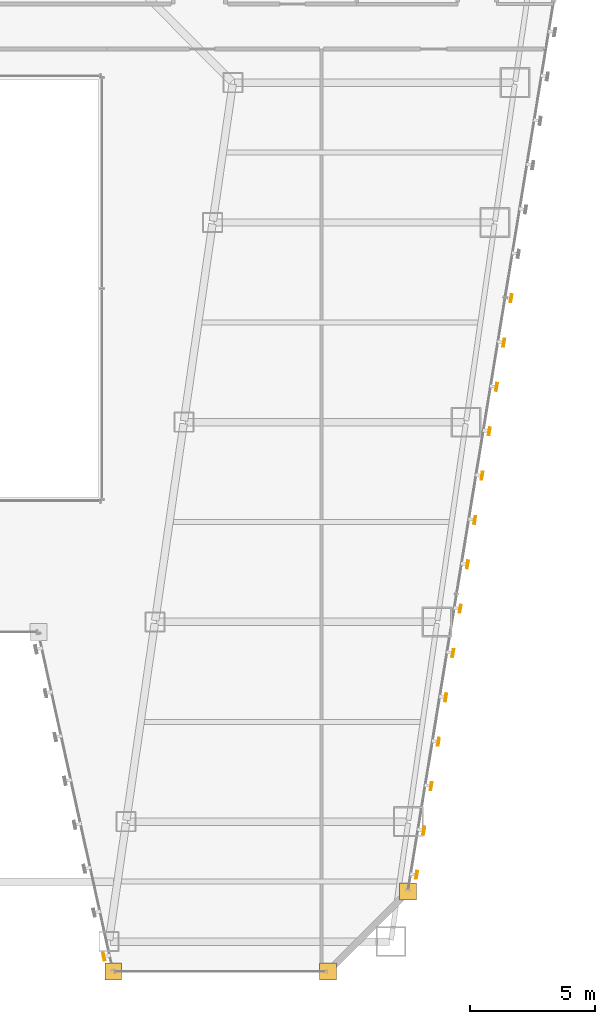
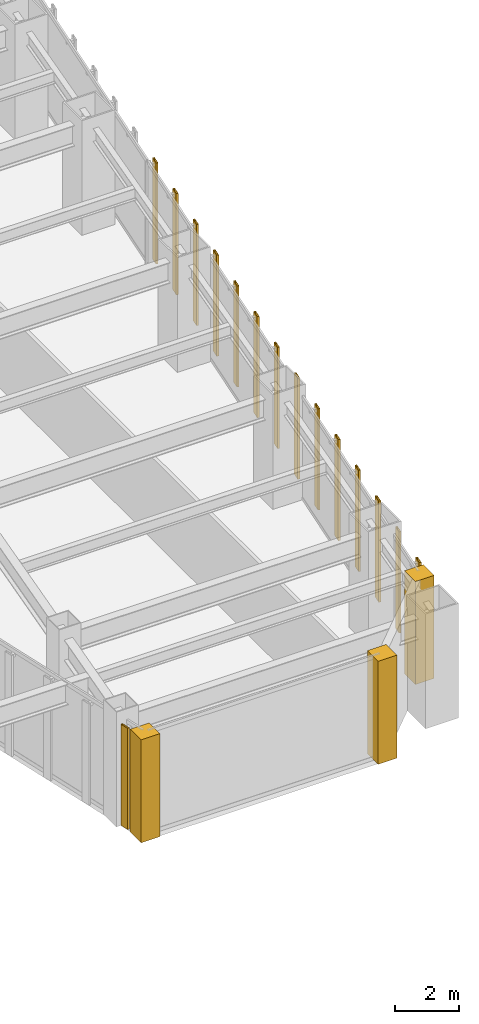
# One storey, part 44 of 47: 15 shading devices, 3 coverings.
"""IFC4 building model written with IfcOpenShell, lengths in metres."""

from ifc_helpers import new_model, si_unit, direction, frame, origin, origin_2d, place, context, subcontext, project, spatial, polyline, hollow_rectangle, outline, extrude, material, layer, layer_set, material_profile, profile_set, type_object, element, save


model = new_model("IFC4")

# Units and contexts
model_context = context("Model", 3, precision=1e-05, world=origin(), true_north=direction((0.0, 1.0)))
body_context = subcontext(model_context, "Body", "Model", "MODEL_VIEW")
ifc_project = project(units=[si_unit("LENGTHUNIT", "METRE"), si_unit("AREAUNIT", "SQUARE_METRE"), si_unit("VOLUMEUNIT", "CUBIC_METRE"), si_unit("PLANEANGLEUNIT", "RADIAN"), si_unit("MASSUNIT", "GRAM", prefix="KILO")], contexts=[model_context])

# Site, building, storey
site_placement = place(None, origin())
site = spatial("IfcSite", under=ifc_project, at=site_placement, CompositionType="ELEMENT")
building_placement = place(site_placement, origin())
building = spatial("IfcBuilding", under=site, at=building_placement, Name="Saevonmaru Cultural Tower", CompositionType="ELEMENT")
storey_placement = place(building_placement, frame((0.0, 0.0, 82.39990234375)))
storey = spatial("IfcBuildingStorey", under=building, at=storey_placement, Name="L17", CompositionType="ELEMENT", Elevation=82.39990234375)

# Coverings
ifc_material = material(Name="Satin Bronze Anodised Aluminium", Category="aluminium")
ifc_layer = layer(ifc_material, 0.679931640625, Name="Satin Bronze Anodised Aluminium")
ifc_layer_set = layer_set([ifc_layer], Name="Satin Bronze Anodised Aluminium")
covering_type = type_object("IfcCoveringType", Name="CV-CORNER-CLAD", PredefinedType="CLADDING", material=ifc_layer_set)
covering_1_placement = place(storey_placement, origin())
element("IfcCovering", 1, at=covering_1_placement, inside=storey, type_object=covering_type, Name="L17 Tower Bronze Corner Cladding Pier 6", PredefinedType="CLADDING", context=body_context, shape_type="SweptSolid", body=[
    extrude(outline(polyline([(36.06005859375, 1.659912109375), (36.739990234375, 1.659912109375), (36.739990234375, 2.340087890625), (36.06005859375, 2.340087890625), (36.06005859375, 1.659912109375)])), origin(), (0.0, 0.0, 1.0), 3.9501953125),
])
covering_2_placement = place(storey_placement, origin())
element("IfcCovering", 2, at=covering_2_placement, inside=storey, type_object=covering_type, Name="L17 Tower Bronze Corner Cladding Pier 7", PredefinedType="CLADDING", context=body_context, shape_type="SweptSolid", body=[
    extrude(outline(polyline([(44.659912109375, 1.659912109375), (45.340087890625, 1.659912109375), (45.340087890625, 2.340087890625), (44.659912109375, 2.340087890625), (44.659912109375, 1.659912109375)])), origin(), (0.0, 0.0, 1.0), 3.9501953125),
])
covering_3_placement = place(storey_placement, origin())
element("IfcCovering", 3, at=covering_3_placement, inside=storey, type_object=covering_type, Name="L17 Tower Bronze Corner Cladding Pier 8", PredefinedType="CLADDING", context=body_context, shape_type="SweptSolid", body=[
    extrude(outline(polyline([(47.860107421875, 4.860107421875), (48.5400390625, 4.860107421875), (48.5400390625, 5.5400390625), (47.860107421875, 5.5400390625), (47.860107421875, 4.860107421875)])), origin(), (0.0, 0.0, 1.0), 3.9501953125),
])

# Shading devices
ifc_material_profile = material_profile(ifc_material, hollow_rectangle(XDim=0.070068359375, YDim=0.320068359375, WallThickness=0.0048828125, at=origin_2d()), Name="FIN-320x70")
ifc_profile_set = profile_set([ifc_material_profile], Name="Satin Bronze Anodised Aluminium")
shading_device_type = type_object("IfcShadingDeviceType", Name="SHD-FIN-320", PredefinedType="JALOUSIE", material=ifc_profile_set)
for number, where, z_axis, x_axis, name in (
    (4, (36.022705078125, 2.59619140625, 0.050048828125), (0.0, 0.0, 1.0), (-0.976522126798, -0.215417120661, 0.0), "L17 Art Deco Sawtooth Bronze Fin E5-08"),
    (5, (48.552978515625, 5.869140625, 0.050048828125), (0.0, 0.0, 1.0), (0.986827496189, -0.161776057456, 0.0), "L17 Art Deco Sawtooth Bronze Fin E8-01"),
    (6, (48.843994140625, 7.6455078125, 0.050048828125), (0.0, 0.0, 1.0), (0.986827496189, -0.161776057456, 0.0), "L17 Art Deco Sawtooth Bronze Fin E8-02"),
    (7, (49.135009765625, 9.421875, 0.050048828125), (0.0, 0.0, 1.0), (0.986827496189, -0.161776057456, 0.0), "L17 Art Deco Sawtooth Bronze Fin E8-03"),
    (8, (49.426025390625, 11.197998046875, 0.050048828125), (0.0, 0.0, 1.0), (0.986827496189, -0.161776057456, 0.0), "L17 Art Deco Sawtooth Bronze Fin E8-04"),
    (9, (49.71728515625, 12.974365234375, 0.050048828125), (0.0, 0.0, 1.0), (0.986827496189, -0.161776057456, 0.0), "L17 Art Deco Sawtooth Bronze Fin E8-05"),
    (10, (50.00830078125, 14.750732421875, 0.050048828125), (0.0, 0.0, 1.0), (0.986827496189, -0.161776057456, 0.0), "L17 Art Deco Sawtooth Bronze Fin E8-06"),
    (11, (50.29931640625, 16.527099609375, 0.050048828125), (0.0, 0.0, 1.0), (0.986827496189, -0.161776057456, 0.0), "L17 Art Deco Sawtooth Bronze Fin E8-07"),
    (12, (50.59033203125, 18.30322265625, 0.050048828125), (0.0, 0.0, 1.0), (0.986827496189, -0.161776057456, 0.0), "L17 Art Deco Sawtooth Bronze Fin E8-08"),
    (13, (50.881591796875, 20.07958984375, 0.050048828125), (0.0, 0.0, 1.0), (0.986827496189, -0.161776057456, 0.0), "L17 Art Deco Sawtooth Bronze Fin E8-09"),
    (14, (51.172607421875, 21.85595703125, 0.050048828125), (0.0, 0.0, 1.0), (0.986827496189, -0.161776057456, 0.0), "L17 Art Deco Sawtooth Bronze Fin E8-10"),
    (15, (51.463623046875, 23.63232421875, 0.050048828125), (0.0, 0.0, 1.0), (0.986827496189, -0.161776057456, 0.0), "L17 Art Deco Sawtooth Bronze Fin E8-11"),
    (16, (51.754638671875, 25.40869140625, 0.050048828125), (0.0, 0.0, 1.0), (0.986827496189, -0.161776057456, 0.0), "L17 Art Deco Sawtooth Bronze Fin E8-12"),
    (17, (52.0458984375, 27.184814453125, 0.050048828125), (0.0, 0.0, 1.0), (0.986827496189, -0.161776057456, 0.0), "L17 Art Deco Sawtooth Bronze Fin E8-13"),
    (18, (52.3369140625, 28.961181640625, 0.050048828125), (0.0, 0.0, 1.0), (0.986827496189, -0.161776057456, 0.0), "L17 Art Deco Sawtooth Bronze Fin E8-14"),
):
    element("IfcShadingDevice", number, at=place(storey_placement, frame(where, z_axis=z_axis, x_axis=x_axis)), inside=storey, type_object=shading_device_type, Name=name, PredefinedType="JALOUSIE", context=body_context, shape_type="SweptSolid", body=[
        extrude(hollow_rectangle(XDim=0.070068359375, YDim=0.320068359375, WallThickness=0.0048828125, at=origin_2d()), origin(), (0.0, 0.0, 1.0), 3.880126953125),
    ])

save(model, "model.ifc")
